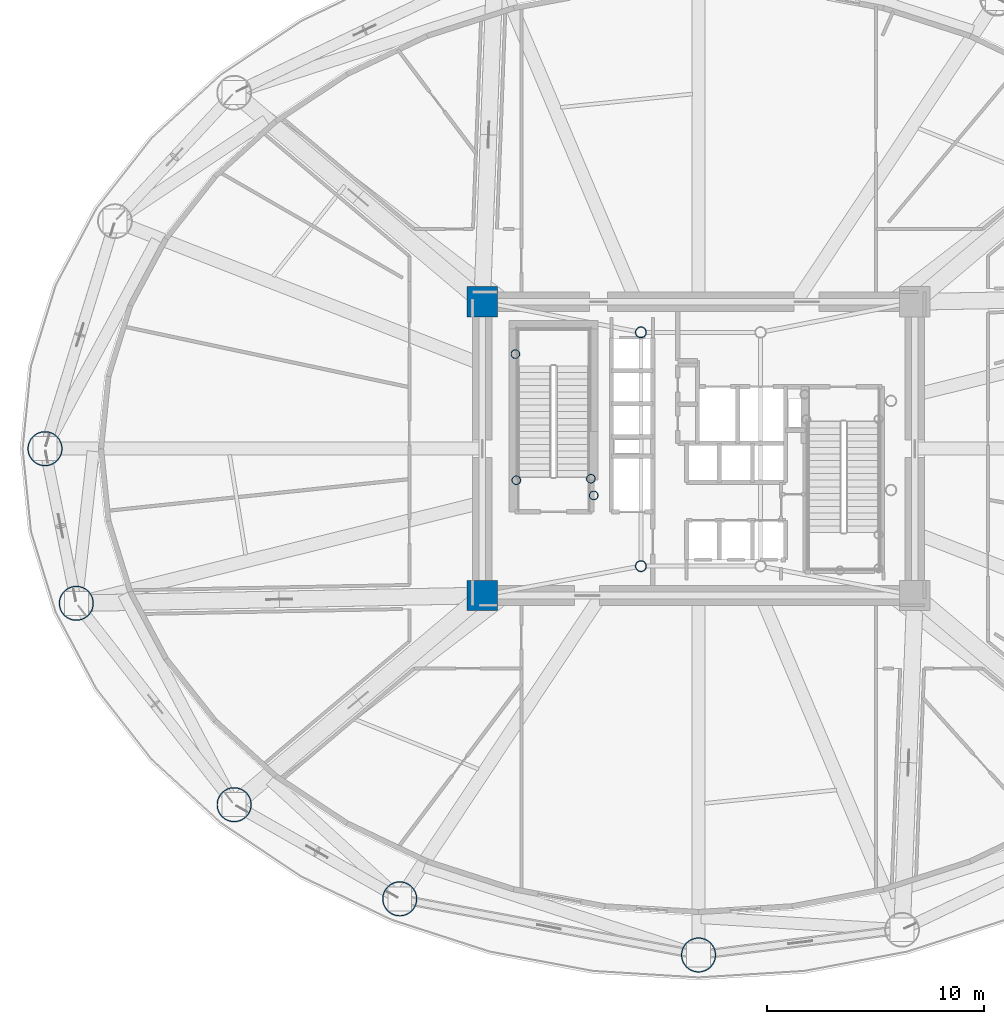
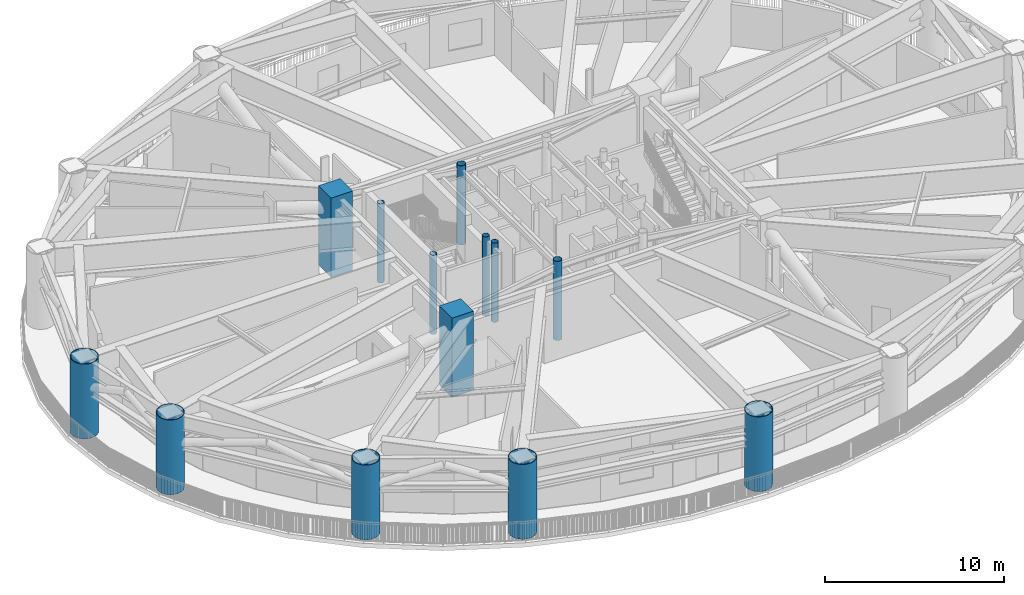
# One storey, part 1 of 22: 13 columns.
"""IFC4 building model written with IfcOpenShell, lengths in metres."""

from ifc_helpers import new_model, si_unit, direction, frame, origin, origin_2d, place, context, subcontext, project, spatial, rectangle, hollow_circle, extrude, material, material_profile, profile_set, type_object, element, save


model = new_model("IFC4")

# Units and contexts
model_context = context("Model", 3, precision=1e-05, world=origin(), true_north=direction((0.0, 1.0)))
body_context = subcontext(model_context, "Body", "Model", "MODEL_VIEW")
ifc_project = project(units=[si_unit("LENGTHUNIT", "METRE"), si_unit("AREAUNIT", "SQUARE_METRE"), si_unit("VOLUMEUNIT", "CUBIC_METRE"), si_unit("PLANEANGLEUNIT", "RADIAN"), si_unit("MASSUNIT", "GRAM", prefix="KILO")], contexts=[model_context])

# Site, building, storey
site_placement = place(None, origin())
site = spatial("IfcSite", under=ifc_project, at=site_placement, CompositionType="ELEMENT")
building_placement = place(site_placement, origin())
building = spatial("IfcBuilding", under=site, at=building_placement, Name="Linh Dai School and Residence Tower", CompositionType="ELEMENT")
storey_placement = place(building_placement, frame((0.0, 0.0, 87.0)))
storey = spatial("IfcBuildingStorey", under=building, at=storey_placement, Name="L20", CompositionType="ELEMENT", Elevation=87.0)

# Columns
ifc_material_1 = material(Name="Concrete B60 (C50/60)", Category="concrete")
ifc_material_profile_1 = material_profile(ifc_material_1, rectangle(XDim=1.39990234375, YDim=1.39990234375, at=origin_2d()), Name="RC 1400x1400")
ifc_profile_set_1 = profile_set([ifc_material_profile_1], Name="Concrete B60 (C50/60)")
column_type_1 = type_object("IfcColumnType", Name="COL-CC1", PredefinedType="COLUMN", material=ifc_profile_set_1)
for number, where, z_axis, x_axis, name in (
    (1, (26.050048828125, 20.25, 0.0), (0.0, 0.0, 1.0), (1.0, 0.0, 0.0), "L20 Core Corner Pier CC1"),
    (2, (26.050048828125, 33.75, 0.0), (0.0, 0.0, 1.0), (1.0, 0.0, 0.0), "L20 Core Corner Pier CC4"),
):
    element("IfcColumn", number, at=place(storey_placement, frame(where, z_axis=z_axis, x_axis=x_axis)), inside=storey, type_object=column_type_1, Name=name, PredefinedType="COLUMN", context=body_context, shape_type="SweptSolid", body=[
        extrude(rectangle(XDim=1.39990234375, YDim=1.39990234375, at=origin_2d()), origin(), (0.0, 0.0, 1.0), 5.39990234375),
    ])
ifc_material_2 = material(Name="Structural Steel S355JR", Category="steel")
ifc_material_profile_2 = material_profile(ifc_material_2, hollow_circle(Radius=0.203125, WallThickness=0.01611328125, at=origin_2d()), Name="CHS 406.4x16")
ifc_profile_set_2 = profile_set([ifc_material_profile_2], Name="Structural Steel S355JR")
column_type_2 = type_object("IfcColumnType", Name="COL-EC", PredefinedType="COLUMN", material=ifc_profile_set_2)
for number, where, z_axis, x_axis, name in (
    (3, (27.580078125, 31.35009765625, 0.0), (0.0, 0.0, 1.0), (1.0, 0.0, 0.0), "L20 Stair Shaft Landing Support Pier ST1NW"),
    (4, (31.050048828125, 25.6201171875, 0.0), (0.0, 0.0, 1.0), (1.0, 0.0, 0.0), "L20 Stair Shaft Landing Support Pier ST1SE"),
    (5, (31.179931640625, 24.85009765625, 0.0), (0.0, 0.0, 1.0), (1.0, 0.0, 0.0), "L20 Stair Shaft Landing Support Pier ST1SM"),
    (6, (27.6201171875, 25.550048828125, 0.0), (0.0, 0.0, 1.0), (1.0, 0.0, 0.0), "L20 Stair Shaft Landing Support Pier ST1SW"),
):
    element("IfcColumn", number, at=place(storey_placement, frame(where, z_axis=z_axis, x_axis=x_axis)), inside=storey, type_object=column_type_2, Name=name, PredefinedType="COLUMN", context=body_context, shape_type="SweptSolid", body=[
        extrude(hollow_circle(Radius=0.203125, WallThickness=0.01611328125, at=origin_2d()), origin(), (0.0, 0.0, 1.0), 5.39990234375),
    ])
ifc_material_profile_3 = material_profile(ifc_material_2, hollow_circle(Radius=0.800048828125, WallThickness=0.044921875, at=origin_2d()), Name="CHS 1600x45")
ifc_profile_set_3 = profile_set([ifc_material_profile_3], Name="Structural Steel S355JR")
column_type_3 = type_object("IfcColumnType", Name="COL-MC2", PredefinedType="COLUMN", material=ifc_profile_set_3)
for number, where, z_axis, x_axis, name in (
    (7, (5.949951171875, 27.0, 0.0), (0.0, 0.0, 1.0), (1.0, 0.0, 0.0), "L20 Perimeter CFT Mega-Column MC09"),
    (8, (7.38916015625, 19.891357421875, 0.0), (0.0, 0.0, 1.0), (1.0, 0.0, 0.0), "L20 Perimeter CFT Mega-Column MC10"),
    (9, (14.647216796875, 10.630859375, 0.0), (0.0, 0.0, 1.0), (1.0, 0.0, 0.0), "L20 Perimeter CFT Mega-Column MC11"),
    (10, (22.26171875, 6.30078125, 0.0), (0.0, 0.0, 1.0), (1.0, 0.0, 0.0), "L20 Perimeter CFT Mega-Column MC12"),
    (11, (36.0, 3.719970703125, 0.0), (0.0, 0.0, 1.0), (1.0, 0.0, 0.0), "L20 Perimeter CFT Mega-Column MC13"),
):
    element("IfcColumn", number, at=place(storey_placement, frame(where, z_axis=z_axis, x_axis=x_axis)), inside=storey, type_object=column_type_3, Name=name, PredefinedType="COLUMN", context=body_context, shape_type="SweptSolid", body=[
        extrude(hollow_circle(Radius=0.800048828125, WallThickness=0.044921875, at=origin_2d()), origin(), (0.0, 0.0, 1.0), 5.10009765625),
    ])
ifc_material_profile_4 = material_profile(ifc_material_2, hollow_circle(Radius=0.25390625, WallThickness=0.02001953125, at=origin_2d()), Name="CHS 508x20")
ifc_profile_set_4 = profile_set([ifc_material_profile_4], Name="Structural Steel S355JR")
column_type_4 = type_object("IfcColumnType", Name="COL-MCP", PredefinedType="COLUMN", material=ifc_profile_set_4)
for number, where, z_axis, x_axis, name in (
    (12, (33.35009765625, 21.60009765625, 0.0), (0.0, 0.0, 1.0), (1.0, 0.0, 0.0), "L20 Core Mast Support Pier MCP1"),
    (13, (33.35009765625, 32.35009765625, 0.0), (0.0, 0.0, 1.0), (1.0, 0.0, 0.0), "L20 Core Mast Support Pier MCP4"),
):
    element("IfcColumn", number, at=place(storey_placement, frame(where, z_axis=z_axis, x_axis=x_axis)), inside=storey, type_object=column_type_4, Name=name, PredefinedType="COLUMN", context=body_context, shape_type="SweptSolid", body=[
        extrude(hollow_circle(Radius=0.25390625, WallThickness=0.02001953125, at=origin_2d()), origin(), (0.0, 0.0, 1.0), 5.39990234375),
    ])

save(model, "model.ifc")
